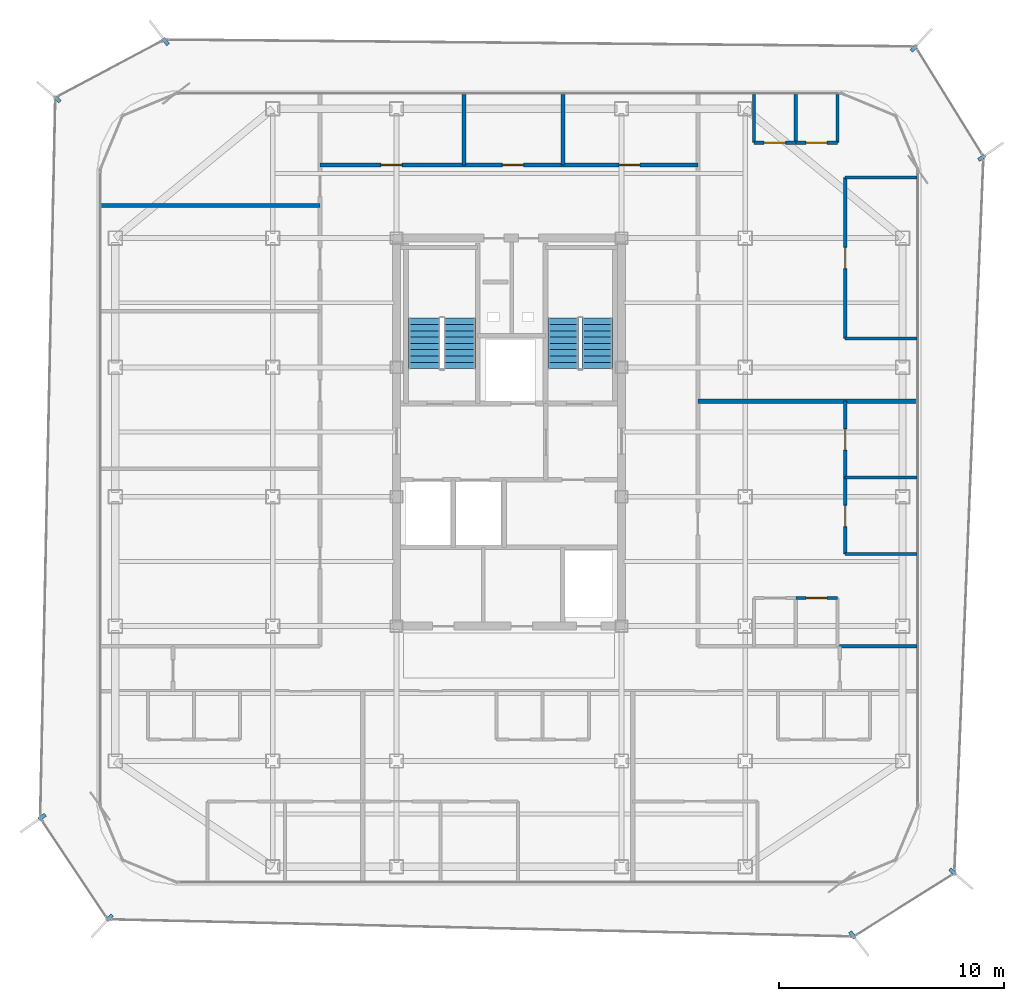
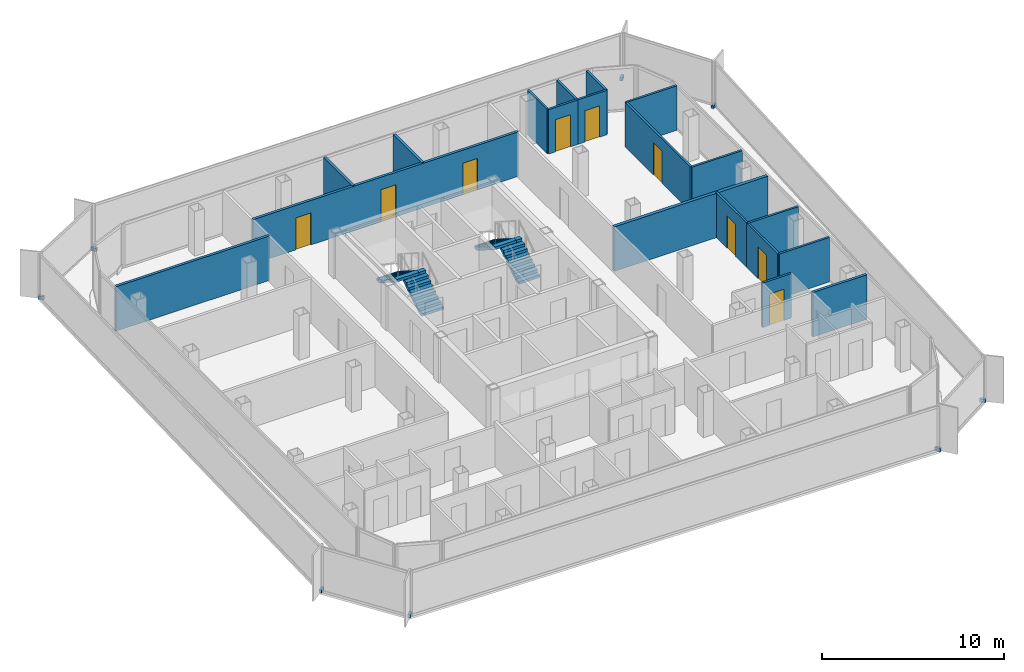
# One storey, part 12 of 15: 19 walls, 9 doors, 8 discrete accessories, 4 stair flights, 9 openings, 2 elements without a shape of their own.
"""IFC4 building model written with IfcOpenShell, lengths in metres."""

from ifc_helpers import new_model, si_unit, direction, frame, frame_2d, origin, origin_2d, place, context, subcontext, project, spatial, polyline, rectangle, outline, extrude, source, transform, mapped, material, layer, layer_set, type_object, element, fill, aggregate, save


model = new_model("IFC4")

# Units and contexts
model_context = context("Model", 3, precision=1e-05, world=origin(), true_north=direction((0.0, 1.0)))
body_context = subcontext(model_context, "Body", "Model", "MODEL_VIEW")
ifc_project = project(units=[si_unit("LENGTHUNIT", "METRE"), si_unit("AREAUNIT", "SQUARE_METRE"), si_unit("VOLUMEUNIT", "CUBIC_METRE"), si_unit("PLANEANGLEUNIT", "RADIAN"), si_unit("MASSUNIT", "GRAM", prefix="KILO")], contexts=[model_context])

# Site, building, storey
site_placement = place(None, origin())
site = spatial("IfcSite", under=ifc_project, at=site_placement, CompositionType="ELEMENT")
building_placement = place(site_placement, origin())
building = spatial("IfcBuilding", under=site, at=building_placement, Name="Kolveth Station Tower", CompositionType="ELEMENT")
storey_placement = place(building_placement, frame((0.0, 0.0, 255.300048828125)))
storey = spatial("IfcBuildingStorey", under=building, at=storey_placement, Name="L73", CompositionType="ELEMENT", Elevation=255.300048828125)

# Wall, opening, door
ifc_material_1 = material(Name="Moisture-resistant gypsum partition")
ifc_layer_1 = layer(ifc_material_1, 0.135009765625)
ifc_layer_set_1 = layer_set([ifc_layer_1], Name="Moisture-resistant gypsum partition")
wall_type_1 = type_object("IfcWallType", Name="Wall_IW-135", PredefinedType="PARTITIONING", material=ifc_layer_set_1)
wall_1_placement = place(storey_placement, frame((36.25, 12.75, 0.0), z_axis=(0.0, 0.0, 1.0), x_axis=(1.0, 0.0, 0.0)))
wall_1 = element("IfcWall", 1, at=wall_1_placement, inside=storey, type_object=wall_type_1, Name="L73 Partition Wall WL-L73-E1-IBHB", PredefinedType="PARTITIONING", context=body_context, shape_type="SweptSolid", body=[
    extrude(rectangle(XDim=1.85009765625, YDim=0.135009765625, at=frame_2d((0.925048828125, 0.0))), origin(), (0.0, 0.0, 1.0), 2.97998046875),
])
opening_1_placement = place(wall_1_placement, frame((0.465087890625, 0.0, 0.0)))
opening_1 = element("IfcOpeningElement", 2, at=opening_1_placement, cuts=wall_1, Name="Opening ID2", PredefinedType="OPENING", context=body_context, shape_type="SweptSolid", body=[
    extrude(rectangle(XDim=0.919921875, YDim=2.10009765625, at=frame_2d((0.4599609375, 1.050048828125))), frame((0.0, 0.077392578125, 0.0), z_axis=(0.0, -1.0, 0.0), x_axis=(1.0, 0.0, 0.0)), (0.0, 0.0, 1.0), 0.155029296875),
])
ifc_material_2 = material(Name="Moisture-resistant hardwood leaf", Category="wood")
door_type_1 = type_object("IfcDoorType", Name="Door_ID2", OperationType="NOTDEFINED", PredefinedType="DOOR", material=ifc_material_2)
door_1_placement = place(opening_1_placement, origin())
door_1 = element("IfcDoor", 3, at=door_1_placement, inside=storey, type_object=door_type_1, Name="Penthouse Flat L73-E1 Bathroom Door", OperationType="SINGLE_SWING_LEFT", OverallHeight=2.10009765625, OverallWidth=0.919921875, PredefinedType="DOOR", context=body_context, shape_type="SweptSolid", body=[
    extrude(rectangle(XDim=0.919921875, YDim=2.10009765625, at=frame_2d((0.4599609375, 1.050048828125))), frame((0.0, 0.02490234375, 0.0), z_axis=(0.0, -1.0, 0.0), x_axis=(1.0, 0.0, 0.0)), (0.0, 0.0, 1.0), 0.050048828125),
])
fill(opening_1, door_1)

# Wall
wall_2_placement = place(storey_placement, frame((38.449951171875, 14.699951171875, 0.0), z_axis=(0.0, 0.0, 1.0), x_axis=(1.0, 0.0, 0.0)))
element("IfcWall", 4, at=wall_2_placement, inside=storey, type_object=wall_type_1, Name="L73 Partition Wall WL-L73-E1-BDH0", PredefinedType="PARTITIONING", context=body_context, shape_type="SweptSolid", body=[
    extrude(rectangle(XDim=3.18994140625, YDim=0.135009765625, at=frame_2d((1.594970703125, 0.0))), origin(), (0.0, 0.0, 1.0), 2.97998046875),
])

# Wall, opening, door
wall_3_placement = place(storey_placement, frame((38.449951171875, 14.699951171875, 0.0), z_axis=(0.0, 0.0, 1.0), x_axis=(0.0, 1.0, 0.0)))
wall_3 = element("IfcWall", 5, at=wall_3_placement, inside=storey, type_object=wall_type_1, Name="L73 Partition Wall WL-L73-E1-BDV1", PredefinedType="PARTITIONING", context=body_context, shape_type="SweptSolid", body=[
    extrude(rectangle(XDim=3.400146484375, YDim=0.135009765625, at=frame_2d((1.7001953125, 0.0))), origin(), (0.0, 0.0, 1.0), 2.97998046875),
])
opening_2_placement = place(wall_3_placement, frame((1.219970703125, 0.0, 0.0)))
opening_2 = element("IfcOpeningElement", 6, at=opening_2_placement, cuts=wall_3, Name="Opening ID1", PredefinedType="OPENING", context=body_context, shape_type="SweptSolid", body=[
    extrude(rectangle(XDim=0.949951171875, YDim=2.14990234375, at=frame_2d((0.47509765625, 1.074951171875))), frame((0.0, 0.077392578125, 0.0), z_axis=(0.0, -1.0, 0.0), x_axis=(1.0, 0.0, 0.0)), (0.0, 0.0, 1.0), 0.155029296875),
])
ifc_material_3 = material(Name="Acoustic hardwood leaf and aluminium frame", Category="wood")
door_type_2 = type_object("IfcDoorType", Name="Door_ID1", OperationType="NOTDEFINED", PredefinedType="DOOR", material=ifc_material_3)
door_2_placement = place(opening_2_placement, frame((0.949951171875, 0.0, 0.0), z_axis=(0.0, 0.0, 1.0), x_axis=(-1.0, 0.0, 0.0)))
door_2 = element("IfcDoor", 7, at=door_2_placement, inside=storey, type_object=door_type_2, Name="Penthouse Flat L73-E1 Bedroom 1 Door", OperationType="SINGLE_SWING_RIGHT", OverallHeight=2.14990234375, OverallWidth=0.949951171875, PredefinedType="DOOR", context=body_context, shape_type="SweptSolid", body=[
    extrude(rectangle(XDim=0.949951171875, YDim=2.14990234375, at=frame_2d((0.47509765625, 1.074951171875))), frame((0.0, 0.02490234375, 0.0), z_axis=(0.0, -1.0, 0.0), x_axis=(1.0, 0.0, 0.0)), (0.0, 0.0, 1.0), 0.050048828125),
])
fill(opening_2, door_2)

wall_4_placement = place(storey_placement, frame((38.449951171875, 18.10009765625, 0.0), z_axis=(0.0, 0.0, 1.0), x_axis=(0.0, 1.0, 0.0)))
wall_4 = element("IfcWall", 8, at=wall_4_placement, inside=storey, type_object=wall_type_1, Name="L73 Partition Wall WL-L73-E1-BDV2", PredefinedType="PARTITIONING", context=body_context, shape_type="SweptSolid", body=[
    extrude(rectangle(XDim=3.39990234375, YDim=0.135009765625, at=frame_2d((1.699951171875, 0.0))), origin(), (0.0, 0.0, 1.0), 2.97998046875),
])
opening_3_placement = place(wall_4_placement, frame((1.219970703125, 0.0, 0.0)))
opening_3 = element("IfcOpeningElement", 9, at=opening_3_placement, cuts=wall_4, Name="Opening ID1", PredefinedType="OPENING", context=body_context, shape_type="SweptSolid", body=[
    extrude(rectangle(XDim=0.949951171875, YDim=2.14990234375, at=frame_2d((0.47509765625, 1.074951171875))), frame((0.0, 0.077392578125, 0.0), z_axis=(0.0, -1.0, 0.0), x_axis=(1.0, 0.0, 0.0)), (0.0, 0.0, 1.0), 0.155029296875),
])
door_3_placement = place(opening_3_placement, frame((0.949951171875, 0.0, 0.0), z_axis=(0.0, 0.0, 1.0), x_axis=(-1.0, 0.0, 0.0)))
door_3 = element("IfcDoor", 10, at=door_3_placement, inside=storey, type_object=door_type_2, Name="Penthouse Flat L73-E1 Bedroom 2 Door", OperationType="SINGLE_SWING_LEFT", OverallHeight=2.14990234375, OverallWidth=0.949951171875, PredefinedType="DOOR", context=body_context, shape_type="SweptSolid", body=[
    extrude(rectangle(XDim=0.949951171875, YDim=2.14990234375, at=frame_2d((0.47509765625, 1.074951171875))), frame((0.0, 0.02490234375, 0.0), z_axis=(0.0, -1.0, 0.0), x_axis=(1.0, 0.0, 0.0)), (0.0, 0.0, 1.0), 0.050048828125),
])
fill(opening_3, door_3)

# Wall
wall_5_placement = place(storey_placement, frame((38.449951171875, 18.10009765625, 0.0), z_axis=(0.0, 0.0, 1.0), x_axis=(1.0, 0.0, 0.0)))
element("IfcWall", 11, at=wall_5_placement, inside=storey, type_object=wall_type_1, Name="L73 Partition Wall WL-L73-E1-BDH1", PredefinedType="PARTITIONING", context=body_context, shape_type="SweptSolid", body=[
    extrude(rectangle(XDim=3.18994140625, YDim=0.135009765625, at=frame_2d((1.594970703125, 0.0))), origin(), (0.0, 0.0, 1.0), 2.97998046875),
])

# Wall, opening, door
wall_6_placement = place(storey_placement, frame((34.39990234375, 32.989990234375, 0.0), z_axis=(0.0, 0.0, 1.0), x_axis=(1.0, 0.0, 0.0)))
wall_6 = element("IfcWall", 12, at=wall_6_placement, inside=storey, type_object=wall_type_1, Name="L73 Partition Wall WL-L73-E2-IBHK", PredefinedType="PARTITIONING", context=body_context, shape_type="SweptSolid", body=[
    extrude(rectangle(XDim=1.85009765625, YDim=0.135009765625, at=frame_2d((0.925048828125, 0.0))), origin(), (0.0, 0.0, 1.0), 2.97998046875),
])
opening_4_placement = place(wall_6_placement, frame((0.445068359375, 0.0, 0.0)))
opening_4 = element("IfcOpeningElement", 13, at=opening_4_placement, cuts=wall_6, Name="Opening ID1", PredefinedType="OPENING", context=body_context, shape_type="SweptSolid", body=[
    extrude(rectangle(XDim=0.949951171875, YDim=2.14990234375, at=frame_2d((0.47509765625, 1.074951171875))), frame((0.0, 0.077392578125, 0.0), z_axis=(0.0, -1.0, 0.0), x_axis=(1.0, 0.0, 0.0)), (0.0, 0.0, 1.0), 0.155029296875),
])
door_4_placement = place(opening_4_placement, frame((0.949951171875, 0.0, 0.0), z_axis=(0.0, 0.0, 1.0), x_axis=(-1.0, 0.0, 0.0)))
door_4 = element("IfcDoor", 14, at=door_4_placement, inside=storey, type_object=door_type_2, Name="Penthouse Flat L73-E2 Kitchen Door", OperationType="SINGLE_SWING_LEFT", OverallHeight=2.14990234375, OverallWidth=0.949951171875, PredefinedType="DOOR", context=body_context, shape_type="SweptSolid", body=[
    extrude(rectangle(XDim=0.949951171875, YDim=2.14990234375, at=frame_2d((0.47509765625, 1.074951171875))), frame((0.0, 0.02490234375, 0.0), z_axis=(0.0, -1.0, 0.0), x_axis=(1.0, 0.0, 0.0)), (0.0, 0.0, 1.0), 0.050048828125),
])
fill(opening_4, door_4)

wall_7_placement = place(storey_placement, frame((36.25, 32.989990234375, 0.0), z_axis=(0.0, 0.0, 1.0), x_axis=(1.0, 0.0, 0.0)))
wall_7 = element("IfcWall", 15, at=wall_7_placement, inside=storey, type_object=wall_type_1, Name="L73 Partition Wall WL-L73-E2-IBHB", PredefinedType="PARTITIONING", context=body_context, shape_type="SweptSolid", body=[
    extrude(rectangle(XDim=1.85009765625, YDim=0.135009765625, at=frame_2d((0.925048828125, 0.0))), origin(), (0.0, 0.0, 1.0), 2.97998046875),
])
opening_5_placement = place(wall_7_placement, frame((0.465087890625, 0.0, 0.0)))
opening_5 = element("IfcOpeningElement", 16, at=opening_5_placement, cuts=wall_7, Name="Opening ID2", PredefinedType="OPENING", context=body_context, shape_type="SweptSolid", body=[
    extrude(rectangle(XDim=0.919921875, YDim=2.10009765625, at=frame_2d((0.4599609375, 1.050048828125))), frame((0.0, 0.077392578125, 0.0), z_axis=(0.0, -1.0, 0.0), x_axis=(1.0, 0.0, 0.0)), (0.0, 0.0, 1.0), 0.155029296875),
])
door_5_placement = place(opening_5_placement, frame((0.919921875, 0.0, 0.0), z_axis=(0.0, 0.0, 1.0), x_axis=(-1.0, 0.0, 0.0)))
door_5 = element("IfcDoor", 17, at=door_5_placement, inside=storey, type_object=door_type_1, Name="Penthouse Flat L73-E2 Bathroom Door", OperationType="SINGLE_SWING_LEFT", OverallHeight=2.10009765625, OverallWidth=0.919921875, PredefinedType="DOOR", context=body_context, shape_type="SweptSolid", body=[
    extrude(rectangle(XDim=0.919921875, YDim=2.10009765625, at=frame_2d((0.4599609375, 1.050048828125))), frame((0.0, 0.02490234375, 0.0), z_axis=(0.0, -1.0, 0.0), x_axis=(1.0, 0.0, 0.0)), (0.0, 0.0, 1.0), 0.050048828125),
])
fill(opening_5, door_5)

# Walls
for number, where, z_axis, x_axis, name in (
    (18, (34.39990234375, 32.989990234375, 0.0), (0.0, 0.0, 1.0), (0.0, 1.0, 0.0), "L73 Partition Wall WL-L73-E2-IBV0"),
    (19, (36.25, 32.989990234375, 0.0), (0.0, 0.0, 1.0), (0.0, 1.0, 0.0), "L73 Partition Wall WL-L73-E2-IBV1"),
    (20, (38.10009765625, 32.989990234375, 0.0), (0.0, 0.0, 1.0), (0.0, 1.0, 0.0), "L73 Partition Wall WL-L73-E2-IBV2"),
):
    element("IfcWall", number, at=place(storey_placement, frame(where, z_axis=z_axis, x_axis=x_axis)), inside=storey, type_object=wall_type_1, Name=name, PredefinedType="PARTITIONING", context=body_context, shape_type="SweptSolid", body=[
        extrude(rectangle(XDim=2.14990234375, YDim=0.135009765625, at=frame_2d((1.074951171875, 0.0))), origin(), (0.0, 0.0, 1.0), 2.97998046875),
    ])
for number, where, z_axis, x_axis, name in (
    (21, (38.449951171875, 24.285888671875, 0.0), (0.0, 0.0, 1.0), (1.0, 0.0, 0.0), "L73 Partition Wall WL-L73-E2-BDH0"),
    (22, (38.449951171875, 31.449951171875, 0.0), (0.0, 0.0, 1.0), (1.0, 0.0, 0.0), "L73 Partition Wall WL-L73-E2-BDHE"),
):
    element("IfcWall", number, at=place(storey_placement, frame(where, z_axis=z_axis, x_axis=x_axis)), inside=storey, type_object=wall_type_1, Name=name, PredefinedType="PARTITIONING", context=body_context, shape_type="SweptSolid", body=[
        extrude(rectangle(XDim=3.18994140625, YDim=0.135009765625, at=frame_2d((1.594970703125, 0.0))), origin(), (0.0, 0.0, 1.0), 2.97998046875),
    ])

# Wall, opening, door
wall_8_placement = place(storey_placement, frame((38.449951171875, 24.285888671875, 0.0), z_axis=(0.0, 0.0, 1.0), x_axis=(0.0, 1.0, 0.0)))
wall_8 = element("IfcWall", 23, at=wall_8_placement, inside=storey, type_object=wall_type_1, Name="L73 Partition Wall WL-L73-E2-BDV1", PredefinedType="PARTITIONING", context=body_context, shape_type="SweptSolid", body=[
    extrude(rectangle(XDim=7.1640625, YDim=0.135009765625, at=frame_2d((3.58203125, 0.0))), origin(), (0.0, 0.0, 1.0), 2.97998046875),
])
opening_6_placement = place(wall_8_placement, frame((3.10205078125, 0.0, 0.0)))
opening_6 = element("IfcOpeningElement", 24, at=opening_6_placement, cuts=wall_8, Name="Opening ID1", PredefinedType="OPENING", context=body_context, shape_type="SweptSolid", body=[
    extrude(rectangle(XDim=0.949951171875, YDim=2.14990234375, at=frame_2d((0.47509765625, 1.074951171875))), frame((0.0, 0.077392578125, 0.0), z_axis=(0.0, -1.0, 0.0), x_axis=(1.0, 0.0, 0.0)), (0.0, 0.0, 1.0), 0.155029296875),
])
door_6_placement = place(opening_6_placement, frame((0.949951171875, 0.0, 0.0), z_axis=(0.0, 0.0, 1.0), x_axis=(-1.0, 0.0, 0.0)))
door_6 = element("IfcDoor", 25, at=door_6_placement, inside=storey, type_object=door_type_2, Name="Penthouse Flat L73-E2 Bedroom 1 Door", OperationType="SINGLE_SWING_LEFT", OverallHeight=2.14990234375, OverallWidth=0.949951171875, PredefinedType="DOOR", context=body_context, shape_type="SweptSolid", body=[
    extrude(rectangle(XDim=0.949951171875, YDim=2.14990234375, at=frame_2d((0.47509765625, 1.074951171875))), frame((0.0, 0.02490234375, 0.0), z_axis=(0.0, -1.0, 0.0), x_axis=(1.0, 0.0, 0.0)), (0.0, 0.0, 1.0), 0.050048828125),
])
fill(opening_6, door_6)

# Wall, openings, doors
ifc_material_4 = material(Name="Acoustic double-stud gypsum partition")
ifc_layer_2 = layer(ifc_material_4, 0.1650390625)
ifc_layer_set_2 = layer_set([ifc_layer_2], Name="Acoustic double-stud gypsum partition")
wall_type_2 = type_object("IfcWallType", Name="Wall_IW-165", PredefinedType="PARTITIONING", material=ifc_layer_set_2)
wall_9_placement = place(storey_placement, frame((15.10009765625, 32.0, 0.0), z_axis=(0.0, 0.0, 1.0), x_axis=(1.0, 0.0, 0.0)))
wall_9 = element("IfcWall", 26, at=wall_9_placement, inside=storey, type_object=wall_type_2, Name="L73 Partition Wall WL-L73-RN", PredefinedType="PARTITIONING", context=body_context, shape_type="SweptSolid", body=[
    extrude(rectangle(XDim=16.7998046875, YDim=0.1650390625, at=frame_2d((8.39990234375, 0.0))), origin(), (0.0, 0.0, 1.0), 2.97998046875),
])
opening_7_placement = place(wall_9_placement, frame((2.699951171875, 0.0, 0.0)))
opening_7 = element("IfcOpeningElement", 27, at=opening_7_placement, cuts=wall_9, Name="Opening ID1", PredefinedType="OPENING", context=body_context, shape_type="SweptSolid", body=[
    extrude(rectangle(XDim=0.949951171875, YDim=2.14990234375, at=frame_2d((0.47509765625, 1.074951171875))), frame((0.0, 0.092529296875, 0.0), z_axis=(0.0, -1.0, 0.0), x_axis=(1.0, 0.0, 0.0)), (0.0, 0.0, 1.0), 0.18505859375),
])
opening_8_placement = place(wall_9_placement, frame((8.10009765625, 0.0, 0.0)))
opening_8 = element("IfcOpeningElement", 28, at=opening_8_placement, cuts=wall_9, Name="Opening ID1", PredefinedType="OPENING", context=body_context, shape_type="SweptSolid", body=[
    extrude(rectangle(XDim=0.949951171875, YDim=2.14990234375, at=frame_2d((0.47509765625, 1.074951171875))), frame((0.0, 0.092529296875, 0.0), z_axis=(0.0, -1.0, 0.0), x_axis=(1.0, 0.0, 0.0)), (0.0, 0.0, 1.0), 0.18505859375),
])
opening_9_placement = place(wall_9_placement, frame((13.300048828125, 0.0, 0.0)))
opening_9 = element("IfcOpeningElement", 29, at=opening_9_placement, cuts=wall_9, Name="Opening ID2", PredefinedType="OPENING", context=body_context, shape_type="SweptSolid", body=[
    extrude(rectangle(XDim=0.919921875, YDim=2.10009765625, at=frame_2d((0.4599609375, 1.050048828125))), frame((0.0, 0.092529296875, 0.0), z_axis=(0.0, -1.0, 0.0), x_axis=(1.0, 0.0, 0.0)), (0.0, 0.0, 1.0), 0.18505859375),
])
door_7_placement = place(opening_7_placement, origin())
door_7 = element("IfcDoor", 30, at=door_7_placement, inside=storey, type_object=door_type_2, Name="L73 Quiet Study 1 Door", OperationType="SINGLE_SWING_LEFT", OverallHeight=2.14990234375, OverallWidth=0.949951171875, PredefinedType="DOOR", context=body_context, shape_type="SweptSolid", body=[
    extrude(rectangle(XDim=0.949951171875, YDim=2.14990234375, at=frame_2d((0.47509765625, 1.074951171875))), frame((0.0, 0.02490234375, 0.0), z_axis=(0.0, -1.0, 0.0), x_axis=(1.0, 0.0, 0.0)), (0.0, 0.0, 1.0), 0.050048828125),
])
fill(opening_7, door_7)
door_8_placement = place(opening_8_placement, origin())
door_8 = element("IfcDoor", 31, at=door_8_placement, inside=storey, type_object=door_type_2, Name="L73 Quiet Study 2 Door", OperationType="SINGLE_SWING_RIGHT", OverallHeight=2.14990234375, OverallWidth=0.949951171875, PredefinedType="DOOR", context=body_context, shape_type="SweptSolid", body=[
    extrude(rectangle(XDim=0.949951171875, YDim=2.14990234375, at=frame_2d((0.47509765625, 1.074951171875))), frame((0.0, 0.02490234375, 0.0), z_axis=(0.0, -1.0, 0.0), x_axis=(1.0, 0.0, 0.0)), (0.0, 0.0, 1.0), 0.050048828125),
])
fill(opening_8, door_8)
door_9_placement = place(opening_9_placement, origin())
door_9 = element("IfcDoor", 32, at=door_9_placement, inside=storey, type_object=door_type_1, Name="L73 Accessible Residents' WC Door", OperationType="SINGLE_SWING_LEFT", OverallHeight=2.10009765625, OverallWidth=0.919921875, PredefinedType="DOOR", context=body_context, shape_type="SweptSolid", body=[
    extrude(rectangle(XDim=0.919921875, YDim=2.10009765625, at=frame_2d((0.4599609375, 1.050048828125))), frame((0.0, 0.02490234375, 0.0), z_axis=(0.0, -1.0, 0.0), x_axis=(1.0, 0.0, 0.0)), (0.0, 0.0, 1.0), 0.050048828125),
])
fill(opening_9, door_9)

# Walls
wall_10_placement = place(storey_placement, frame((38.199951171875, 10.60009765625, 0.0), z_axis=(0.0, 0.0, 1.0), x_axis=(1.0, 0.0, 0.0)))
element("IfcWall", 33, at=wall_10_placement, inside=storey, type_object=wall_type_2, Name="L73 Partition Wall WL-L73-ESTN", PredefinedType="PARTITIONING", context=body_context, shape_type="SweptSolid", body=[
    extrude(rectangle(XDim=3.43994140625, YDim=0.1650390625, at=frame_2d((1.719970703125, 0.0))), origin(), (0.0, 0.0, 1.0), 2.97998046875),
])
wall_11_placement = place(storey_placement, frame((5.360107421875, 30.199951171875, 0.0), z_axis=(0.0, 0.0, 1.0), x_axis=(1.0, 0.0, 0.0)))
element("IfcWall", 34, at=wall_11_placement, inside=storey, type_object=wall_type_2, Name="L73 Partition Wall WL-L73-RWA-P3", PredefinedType="PARTITIONING", context=body_context, shape_type="SweptSolid", body=[
    extrude(rectangle(XDim=9.739990234375, YDim=0.1650390625, at=frame_2d((4.8701171875, 0.0))), origin(), (0.0, 0.0, 1.0), 2.97998046875),
])
for number, where, z_axis, x_axis, name in (
    (35, (21.5, 32.0, 0.0), (0.0, 0.0, 1.0), (0.0, 1.0, 0.0), "L73 Partition Wall WL-L73-RN-P1"),
    (36, (25.89990234375, 32.0, 0.0), (0.0, 0.0, 1.0), (0.0, 1.0, 0.0), "L73 Partition Wall WL-L73-RN-P2"),
):
    element("IfcWall", number, at=place(storey_placement, frame(where, z_axis=z_axis, x_axis=x_axis)), inside=storey, type_object=wall_type_2, Name=name, PredefinedType="PARTITIONING", context=body_context, shape_type="SweptSolid", body=[
        extrude(rectangle(XDim=3.139892578125, YDim=0.1650390625, at=frame_2d((1.56982421875, 0.0))), origin(), (0.0, 0.0, 1.0), 2.97998046875),
    ])
ifc_material_5 = material(Name="Acoustic fire-rated gypsum blockwork", Category="masonry")
ifc_layer_3 = layer(ifc_material_5, 0.199951171875)
ifc_layer_set_3 = layer_set([ifc_layer_3], Name="Acoustic fire-rated gypsum blockwork")
wall_type_3 = type_object("IfcWallType", Name="Wall_IW-200", PredefinedType="PARTITIONING", material=ifc_layer_set_3)
wall_12_placement = place(storey_placement, frame((31.89990234375, 21.5, 0.0), z_axis=(0.0, 0.0, 1.0), x_axis=(1.0, 0.0, 0.0)))
element("IfcWall", 37, at=wall_12_placement, inside=storey, type_object=wall_type_3, Name="L73 Partition Wall WL-L73-REU-1", PredefinedType="PARTITIONING", context=body_context, shape_type="SweptSolid", body=[
    extrude(rectangle(XDim=9.739990234375, YDim=0.199951171875, at=frame_2d((4.8701171875, 0.0))), origin(), (0.0, 0.0, 1.0), 2.97998046875),
])

# Stair, stair flights
ifc_material_6 = material(Name="Concrete C40/50", Category="concrete")
stair_type_1 = type_object("IfcStairType", Name="Stair_ST1", PredefinedType="HALF_TURN_STAIR", material=ifc_material_6)
stair_1_placement = place(storey_placement, origin())
stair_1 = element("IfcStair", 38, at=stair_1_placement, inside=storey, type_object=stair_type_1, Name="L73 Tower Exit Stair ST1", PredefinedType="HALF_TURN_STAIR")
ifc_layer_4 = layer(ifc_material_6, 0.179931640625)
ifc_layer_set_4 = layer_set([ifc_layer_4], Name="Concrete C40/50")
stair_flight_type_1 = type_object("IfcStairFlightType", Name="Flight_ST1", PredefinedType="STRAIGHT", material=ifc_layer_set_4)
stair_flight_1_placement = place(storey_placement, frame((21.300048828125, 22.949951171875, 0.0), z_axis=(0.0, 0.0, 1.0), x_axis=(0.0, 1.0, 0.0)))
stair_flight_1 = element("IfcStairFlight", 39, at=stair_flight_1_placement, type_object=stair_flight_type_1, Name="ST1 flight 1", NumberOfRisers=9, NumberOfTreads=8, PredefinedType="STRAIGHT", RiserHeight=0.177777778, TreadLength=0.28, context=body_context, shape_type="SweptSolid", body=[
    extrude(outline(polyline([(0.0, 0.0), (0.0, 0.177734375), (0.280029296875, 0.177734375), (0.280029296875, 0.35546875), (0.56005859375, 0.35546875), (0.56005859375, 0.533447265625), (0.840087890625, 0.533447265625), (0.840087890625, 0.711181640625), (1.1201171875, 0.711181640625), (1.1201171875, 0.888916015625), (1.39990234375, 0.888916015625), (1.39990234375, 1.066650390625), (1.679931640625, 1.066650390625), (1.679931640625, 1.244384765625), (1.9599609375, 1.244384765625), (1.9599609375, 1.422119140625), (2.239990234375, 1.422119140625), (2.239990234375, 1.60009765625), (2.239990234375, 1.24462890625), (0.27978515625, 0.0), (0.0, 0.0)])), frame((0.0, 0.699951171875, 0.0), z_axis=(0.0, -1.0, 0.0), x_axis=(1.0, 0.0, 0.0)), (0.0, 0.0, 1.0), 1.39990234375),
])
stair_flight_2_placement = place(storey_placement, frame((19.739990234375, 25.18994140625, 1.599853515625), z_axis=(0.0, 0.0, 1.0), x_axis=(0.0, -1.0, 0.0)))
stair_flight_2 = element("IfcStairFlight", 40, at=stair_flight_2_placement, type_object=stair_flight_type_1, Name="ST1 flight 2", NumberOfRisers=9, NumberOfTreads=8, PredefinedType="STRAIGHT", RiserHeight=0.177777778, TreadLength=0.28, context=body_context, shape_type="SweptSolid", body=[
    extrude(outline(polyline([(0.0, 0.0), (0.0, 0.177734375), (0.280029296875, 0.177734375), (0.280029296875, 0.35546875), (0.56005859375, 0.35546875), (0.56005859375, 0.533447265625), (0.840087890625, 0.533447265625), (0.840087890625, 0.711181640625), (1.1201171875, 0.711181640625), (1.1201171875, 0.888916015625), (1.39990234375, 0.888916015625), (1.39990234375, 1.066650390625), (1.679931640625, 1.066650390625), (1.679931640625, 1.244384765625), (1.9599609375, 1.244384765625), (1.9599609375, 1.422119140625), (2.239990234375, 1.422119140625), (2.239990234375, 1.60009765625), (2.239990234375, 1.24462890625), (0.27978515625, 0.0), (0.0, 0.0)])), frame((0.0, 0.699951171875, 0.0), z_axis=(0.0, -1.0, 0.0), x_axis=(1.0, 0.0, 0.0)), (0.0, 0.0, 1.0), 1.39990234375),
])
aggregate(stair_1, [stair_flight_1, stair_flight_2])

stair_type_2 = type_object("IfcStairType", Name="Stair_ST2", PredefinedType="HALF_TURN_STAIR", material=ifc_material_6)
stair_2_placement = place(storey_placement, origin())
stair_2 = element("IfcStair", 41, at=stair_2_placement, inside=storey, type_object=stair_type_2, Name="L73 Tower Exit Stair ST2", PredefinedType="HALF_TURN_STAIR")
ifc_layer_5 = layer(ifc_material_6, 0.179931640625)
ifc_layer_set_5 = layer_set([ifc_layer_5], Name="Concrete C40/50")
stair_flight_type_2 = type_object("IfcStairFlightType", Name="Flight_ST2", PredefinedType="STRAIGHT", material=ifc_layer_set_5)
stair_flight_3_placement = place(storey_placement, frame((27.425048828125, 22.949951171875, 0.0), z_axis=(0.0, 0.0, 1.0), x_axis=(0.0, 1.0, 0.0)))
stair_flight_3 = element("IfcStairFlight", 42, at=stair_flight_3_placement, type_object=stair_flight_type_2, Name="ST2 flight 1", NumberOfRisers=9, NumberOfTreads=8, PredefinedType="STRAIGHT", RiserHeight=0.177777778, TreadLength=0.28, context=body_context, shape_type="SweptSolid", body=[
    extrude(outline(polyline([(0.0, 0.0), (0.0, 0.177734375), (0.280029296875, 0.177734375), (0.280029296875, 0.35546875), (0.56005859375, 0.35546875), (0.56005859375, 0.533447265625), (0.840087890625, 0.533447265625), (0.840087890625, 0.711181640625), (1.1201171875, 0.711181640625), (1.1201171875, 0.888916015625), (1.39990234375, 0.888916015625), (1.39990234375, 1.066650390625), (1.679931640625, 1.066650390625), (1.679931640625, 1.244384765625), (1.9599609375, 1.244384765625), (1.9599609375, 1.422119140625), (2.239990234375, 1.422119140625), (2.239990234375, 1.60009765625), (2.239990234375, 1.24462890625), (0.27978515625, 0.0), (0.0, 0.0)])), frame((0.0, 0.675048828125, 0.0), z_axis=(0.0, -1.0, 0.0), x_axis=(1.0, 0.0, 0.0)), (0.0, 0.0, 1.0), 1.35009765625),
])
stair_flight_4_placement = place(storey_placement, frame((25.9150390625, 25.18994140625, 1.599853515625), z_axis=(0.0, 0.0, 1.0), x_axis=(0.0, -1.0, 0.0)))
stair_flight_4 = element("IfcStairFlight", 43, at=stair_flight_4_placement, type_object=stair_flight_type_2, Name="ST2 flight 2", NumberOfRisers=9, NumberOfTreads=8, PredefinedType="STRAIGHT", RiserHeight=0.177777778, TreadLength=0.28, context=body_context, shape_type="SweptSolid", body=[
    extrude(outline(polyline([(0.0, 0.0), (0.0, 0.177734375), (0.280029296875, 0.177734375), (0.280029296875, 0.35546875), (0.56005859375, 0.35546875), (0.56005859375, 0.533447265625), (0.840087890625, 0.533447265625), (0.840087890625, 0.711181640625), (1.1201171875, 0.711181640625), (1.1201171875, 0.888916015625), (1.39990234375, 0.888916015625), (1.39990234375, 1.066650390625), (1.679931640625, 1.066650390625), (1.679931640625, 1.244384765625), (1.9599609375, 1.244384765625), (1.9599609375, 1.422119140625), (2.239990234375, 1.422119140625), (2.239990234375, 1.60009765625), (2.239990234375, 1.24462890625), (0.27978515625, 0.0), (0.0, 0.0)])), frame((0.0, 0.675048828125, 0.0), z_axis=(0.0, -1.0, 0.0), x_axis=(1.0, 0.0, 0.0)), (0.0, 0.0, 1.0), 1.35009765625),
])
aggregate(stair_2, [stair_flight_3, stair_flight_4])

# Discrete accessories
ifc_material_7 = material(Name="Steel S355", Category="steel")
discrete_accessory_type = type_object("IfcDiscreteAccessoryType", Name="Bracket_BK1", PredefinedType="BRACKET", material=ifc_material_7)
shared_shape = source(origin(), body_context, "Body", "SweptSolid", [
    extrude(rectangle(XDim=0.35009765625, YDim=0.159912109375, at=origin_2d()), origin(), (0.0, 0.0, 1.0), 0.219970703125),
])
for number, where, z_axis, x_axis, name in (
    (44, (38.77001953125, -2.22607421875, -0.06005859375), (0.0, 0.0, 1.0), (0.60917674438, -0.793034484816, 0.0), "L73 Double-Skin Radial Tie Bracket 1"),
    (45, (43.22998046875, 0.576904296875, -0.06005859375), (0.0, 0.0, 1.0), (0.75619618703, -0.654344960034, 0.0), "L73 Double-Skin Radial Tie Bracket 2"),
    (46, (44.51904296875, 32.321044921875, -0.06005859375), (0.0, 0.0, 1.0), (0.82005200509, 0.572289008237, 0.0), "L73 Double-Skin Radial Tie Bracket 3"),
    (47, (41.501953125, 37.193115234375, -0.06005859375), (0.0, 0.0, 1.0), (0.677518077755, 0.735506121195, 0.0), "L73 Double-Skin Radial Tie Bracket 4"),
    (48, (8.235107421875, 37.488037109375, -0.06005859375), (0.0, 0.0, 1.0), (-0.609868565477, 0.792502575922, 0.0), "L73 Double-Skin Radial Tie Bracket 5"),
    (49, (3.409912109375, 34.928955078125, -0.06005859375), (0.0, 0.0, 1.0), (-0.758134336198, 0.65209840383, 0.0), "L73 Double-Skin Radial Tie Bracket 6"),
    (50, (2.74609375, 3.012939453125, -0.06005859375), (0.0, 0.0, 1.0), (-0.817245492307, -0.576289688702, 0.0), "L73 Double-Skin Radial Tie Bracket 7"),
    (51, (5.740966796875, -1.468994140625, -0.06005859375), (0.0, 0.0, 1.0), (-0.680593005737, -0.732661695834, 0.0), "L73 Double-Skin Radial Tie Bracket 8"),
):
    element("IfcDiscreteAccessory", number, at=place(storey_placement, frame(where, z_axis=z_axis, x_axis=x_axis)), inside=storey, type_object=discrete_accessory_type, Name=name, PredefinedType="BRACKET", context=body_context, shape_type="MappedRepresentation", body=[
        mapped(shared_shape, transform((0.0, 0.0, 0.0), x_axis=(1.0, 0.0, 0.0), y_axis=(0.0, 1.0, 0.0), z_axis=(0.0, 0.0, 1.0), scale=1.0)),
    ])

save(model, "model.ifc")
